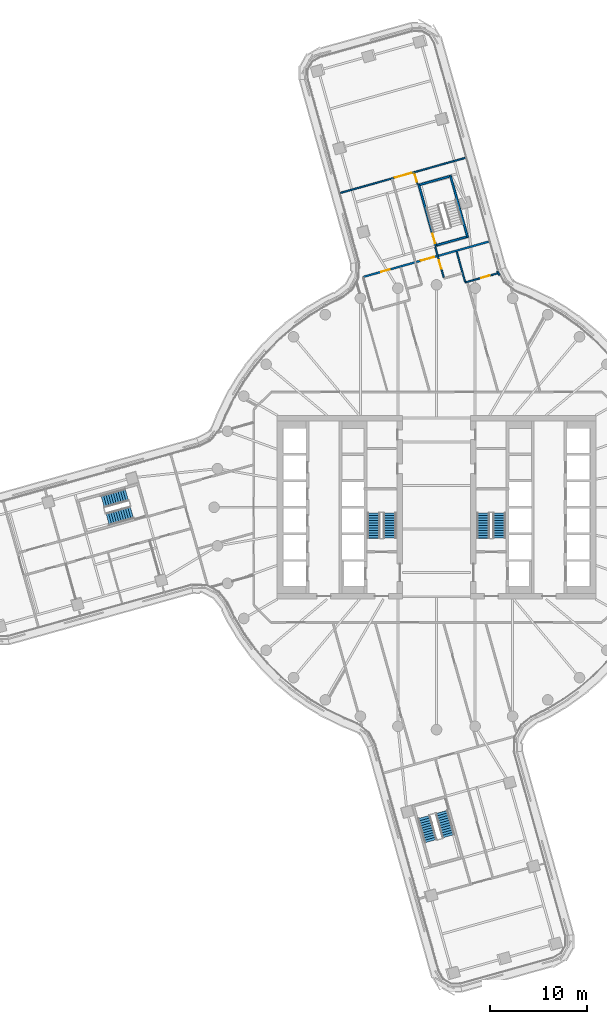
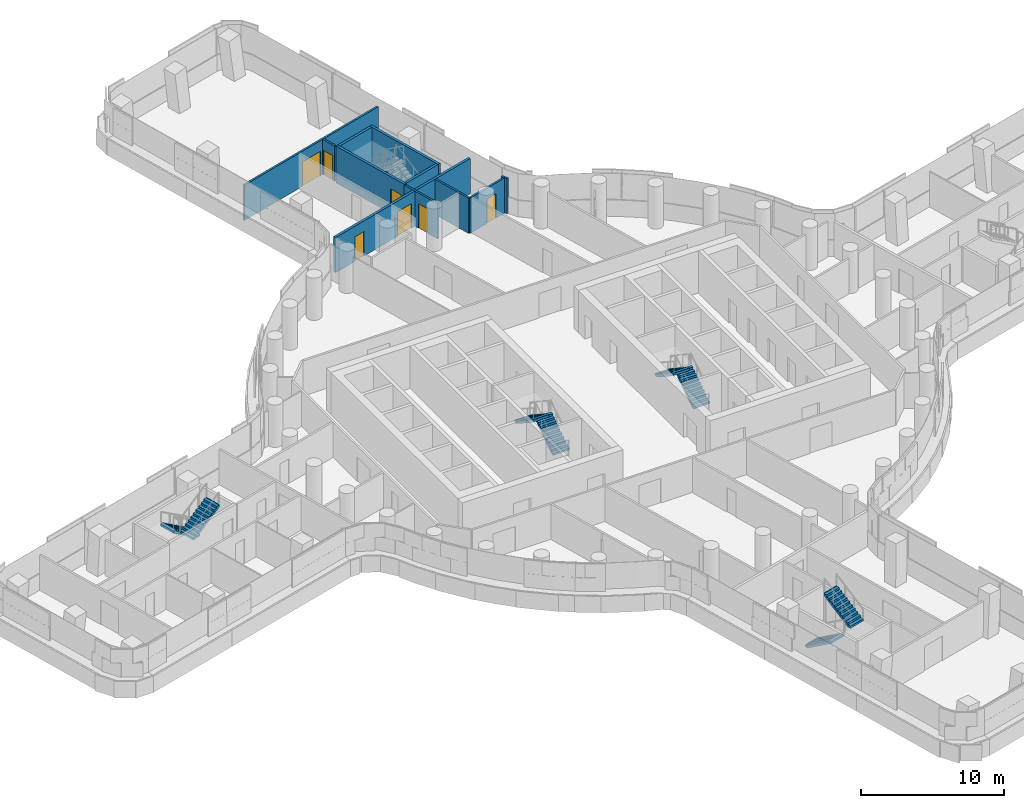
# One storey, part 22 of 30: 11 walls, 8 stair flights, 7 doors, 7 openings, 4 elements without a shape of their own.
"""IFC4 building model written with IfcOpenShell, lengths in metres."""

from ifc_helpers import new_model, si_unit, direction, frame, frame_2d, origin, place, context, subcontext, project, spatial, polyline, rectangle, outline, extrude, material, layer, layer_set, type_object, element, fill, aggregate, save


model = new_model("IFC4")

# Units and contexts
model_context = context("Model", 3, precision=1e-05, world=origin(), true_north=direction((0.0, 1.0)))
body_context = subcontext(model_context, "Body", "Model", "MODEL_VIEW")
ifc_project = project(units=[si_unit("LENGTHUNIT", "METRE"), si_unit("AREAUNIT", "SQUARE_METRE"), si_unit("VOLUMEUNIT", "CUBIC_METRE"), si_unit("PLANEANGLEUNIT", "RADIAN"), si_unit("MASSUNIT", "GRAM", prefix="KILO")], contexts=[model_context])

# Site, building, storey
site_placement = place(None, origin())
site = spatial("IfcSite", under=ifc_project, at=site_placement, CompositionType="ELEMENT")
building_placement = place(site_placement, origin())
building = spatial("IfcBuilding", under=site, at=building_placement, Name="Tamarind Cross Interchange Tower", CompositionType="ELEMENT")
storey_placement = place(building_placement, frame((0.0, 0.0, 91.0)))
storey = spatial("IfcBuildingStorey", under=building, at=storey_placement, Name="L21", CompositionType="ELEMENT", Elevation=91.0)

# Wall, opening, door
ifc_material_1 = material(Name="Gypsum board partition on steel studs", Category="steel")
ifc_layer_1 = layer(ifc_material_1, 0.14990234375)
ifc_layer_set_1 = layer_set([ifc_layer_1], Name="Gypsum board partition on steel studs")
wall_type_1 = type_object("IfcWallType", Name="Partition 150 mm EI 120", PredefinedType="PARTITIONING", material=ifc_layer_set_1)
wall_1_placement = place(storey_placement, frame((-2.28173828125, 34.57568359375, 0.0), z_axis=(0.0, 0.0, 1.0), x_axis=(0.270119007493, -0.962826942805, 0.0)))
wall_1 = element("IfcWall", 1, at=wall_1_placement, inside=storey, type_object=wall_type_1, Name="Partition L21-019", PredefinedType="PARTITIONING", context=body_context, shape_type="SweptSolid", body=[
    extrude(rectangle(XDim=1.184814453125, YDim=0.14990234375, at=frame_2d((0.59228515625, 0.0))), origin(), (0.0, 0.0, 1.0), 3.010009765625),
])
opening_1_placement = place(wall_1_placement, frame((0.074951171875, 0.0, 0.0)))
opening_1 = element("IfcOpeningElement", 2, at=opening_1_placement, cuts=wall_1, Name="Opening D07", PredefinedType="OPENING", context=body_context, shape_type="SweptSolid", body=[
    extrude(rectangle(XDim=0.89990234375, YDim=2.10009765625, at=frame_2d((0.449951171875, 1.050048828125))), frame((0.0, 0.0849609375, 0.0), z_axis=(0.0, -1.0, 0.0), x_axis=(1.0, 0.0, 0.0)), (0.0, 0.0, 1.0), 0.169921875),
])
ifc_material_2 = material(Name="Fire-resisting door set")
door_type_1 = type_object("IfcDoorType", Name="Interior door 900 x 2100 FD60S", OperationType="SINGLE_SWING_LEFT", PredefinedType="DOOR", material=ifc_material_2)
door_1_placement = place(opening_1_placement, origin())
door_1 = element("IfcDoor", 3, at=door_1_placement, inside=storey, type_object=door_type_1, Name="Door D07", OperationType="SINGLE_SWING_RIGHT", OverallHeight=2.10009765625, OverallWidth=0.89990234375, PredefinedType="DOOR", context=body_context, shape_type="SweptSolid", body=[
    extrude(rectangle(XDim=0.89990234375, YDim=2.10009765625, at=frame_2d((0.449951171875, 1.050048828125))), frame((0.0, 0.02490234375, 0.0), z_axis=(0.0, -1.0, 0.0), x_axis=(1.0, 0.0, 0.0)), (0.0, 0.0, 1.0), 0.050048828125),
])
fill(opening_1, door_1)

wall_2_placement = place(storey_placement, frame((-0.130126953125, 26.90673828125, 0.0), z_axis=(0.0, 0.0, 1.0), x_axis=(0.270077213831, -0.962838666948, 0.0)))
wall_2 = element("IfcWall", 4, at=wall_2_placement, inside=storey, type_object=wall_type_1, Name="Partition L21-020", PredefinedType="PARTITIONING", context=body_context, shape_type="SweptSolid", body=[
    extrude(rectangle(XDim=3.279541015625, YDim=0.14990234375, at=frame_2d((1.6396484375, 0.0))), origin(), (0.0, 0.0, 1.0), 3.010009765625),
])
opening_2_placement = place(wall_2_placement, frame((1.409423828125, 0.0, 0.0)))
opening_2 = element("IfcOpeningElement", 5, at=opening_2_placement, cuts=wall_2, Name="Opening D08", PredefinedType="OPENING", context=body_context, shape_type="SweptSolid", body=[
    extrude(rectangle(XDim=0.89990234375, YDim=2.10009765625, at=frame_2d((0.449951171875, 1.050048828125))), frame((0.0, 0.0849609375, 0.0), z_axis=(0.0, -1.0, 0.0), x_axis=(1.0, 0.0, 0.0)), (0.0, 0.0, 1.0), 0.169921875),
])
door_2_placement = place(opening_2_placement, origin())
door_2 = element("IfcDoor", 6, at=door_2_placement, inside=storey, type_object=door_type_1, Name="Door D08", OperationType="SINGLE_SWING_LEFT", OverallHeight=2.10009765625, OverallWidth=0.89990234375, PredefinedType="DOOR", context=body_context, shape_type="SweptSolid", body=[
    extrude(rectangle(XDim=0.89990234375, YDim=2.10009765625, at=frame_2d((0.449951171875, 1.050048828125))), frame((0.0, 0.02490234375, 0.0), z_axis=(0.0, -1.0, 0.0), x_axis=(1.0, 0.0, 0.0)), (0.0, 0.0, 1.0), 0.050048828125),
])
fill(opening_2, door_2)

# Wall
wall_3_placement = place(storey_placement, frame((2.08056640625, 26.431396484375, 0.0), z_axis=(0.0, 0.0, 1.0), x_axis=(0.270004916805, -0.962858943408, 0.0)))
element("IfcWall", 7, at=wall_3_placement, inside=storey, type_object=wall_type_1, Name="Partition L21-025", PredefinedType="PARTITIONING", context=body_context, shape_type="SweptSolid", body=[
    extrude(rectangle(XDim=3.2841796875, YDim=0.14990234375, at=frame_2d((1.64208984375, 0.0))), origin(), (0.0, 0.0, 1.0), 3.010009765625),
])

# Wall, opening, door
wall_4_placement = place(storey_placement, frame((-9.923583984375, 32.510498046875, 0.0), z_axis=(0.0, 0.0, 1.0), x_axis=(0.962841625643, 0.270066665714, 0.0)))
wall_4 = element("IfcWall", 8, at=wall_4_placement, inside=storey, type_object=wall_type_1, Name="Partition L21-053", PredefinedType="PARTITIONING", context=body_context, shape_type="SweptSolid", body=[
    extrude(rectangle(XDim=13.41455078125, YDim=0.14990234375, at=frame_2d((6.707275390625, 0.0))), origin(), (0.0, 0.0, 1.0), 3.010009765625),
])
opening_3_placement = place(wall_4_placement, frame((5.815673828125, 0.0, 0.0)))
opening_3 = element("IfcOpeningElement", 9, at=opening_3_placement, cuts=wall_4, Name="Opening D28", PredefinedType="OPENING", context=body_context, shape_type="SweptSolid", body=[
    extrude(rectangle(XDim=1.800048828125, YDim=2.10009765625, at=frame_2d((0.89990234375, 1.050048828125))), frame((0.0, 0.0849609375, 0.0), z_axis=(0.0, -1.0, 0.0), x_axis=(1.0, 0.0, 0.0)), (0.0, 0.0, 1.0), 0.169921875),
])
door_type_2 = type_object("IfcDoorType", Name="Interior door 1800 x 2100 FD60S", OperationType="DOUBLE_DOOR_SINGLE_SWING", PredefinedType="DOOR", material=ifc_material_2)
door_3_placement = place(opening_3_placement, origin())
door_3 = element("IfcDoor", 10, at=door_3_placement, inside=storey, type_object=door_type_2, Name="Door D28", OperationType="DOUBLE_DOOR_SINGLE_SWING", OverallHeight=2.10009765625, OverallWidth=1.800048828125, PredefinedType="DOOR", context=body_context, shape_type="SweptSolid", body=[
    extrude(rectangle(XDim=1.800048828125, YDim=2.10009765625, at=frame_2d((0.89990234375, 1.050048828125))), frame((0.0, 0.02490234375, 0.0), z_axis=(0.0, -1.0, 0.0), x_axis=(1.0, 0.0, 0.0)), (0.0, 0.0, 1.0), 0.050048828125),
])
fill(opening_3, door_3)

wall_5_placement = place(storey_placement, frame((2.972900390625, 23.25, 0.0), z_axis=(0.0, 0.0, 1.0), x_axis=(0.962654377439, 0.270733355163, 0.0)))
wall_5 = element("IfcWall", 11, at=wall_5_placement, inside=storey, type_object=wall_type_1, Name="Partition L21-062", PredefinedType="PARTITIONING", context=body_context, shape_type="SweptSolid", body=[
    extrude(rectangle(XDim=3.470947265625, YDim=0.14990234375, at=frame_2d((1.7353515625, 0.0))), origin(), (0.0, 0.0, 1.0), 3.010009765625),
])
opening_4_placement = place(wall_5_placement, frame((1.699462890625, 0.0, 0.0)))
opening_4 = element("IfcOpeningElement", 12, at=opening_4_placement, cuts=wall_5, Name="Opening D33", PredefinedType="OPENING", context=body_context, shape_type="SweptSolid", body=[
    extrude(rectangle(XDim=0.89990234375, YDim=2.10009765625, at=frame_2d((0.449951171875, 1.050048828125))), frame((0.0, 0.0849609375, 0.0), z_axis=(0.0, -1.0, 0.0), x_axis=(1.0, 0.0, 0.0)), (0.0, 0.0, 1.0), 0.169921875),
])
door_4_placement = place(opening_4_placement, origin())
door_4 = element("IfcDoor", 13, at=door_4_placement, inside=storey, type_object=door_type_1, Name="Door D33", OperationType="SINGLE_SWING_LEFT", OverallHeight=2.10009765625, OverallWidth=0.89990234375, PredefinedType="DOOR", context=body_context, shape_type="SweptSolid", body=[
    extrude(rectangle(XDim=0.89990234375, YDim=2.10009765625, at=frame_2d((0.449951171875, 1.050048828125))), frame((0.0, 0.02490234375, 0.0), z_axis=(0.0, -1.0, 0.0), x_axis=(1.0, 0.0, 0.0)), (0.0, 0.0, 1.0), 0.050048828125),
])
fill(opening_4, door_4)

# Wall
wall_6_placement = place(storey_placement, frame((6.512451171875, 23.991455078125, 0.0), z_axis=(0.0, 0.0, 1.0), x_axis=(-0.465283556384, 0.885161687014, 0.0)))
element("IfcWall", 14, at=wall_6_placement, inside=storey, type_object=wall_type_1, Name="Partition L21-079", PredefinedType="PARTITIONING", context=body_context, shape_type="SweptSolid", body=[
    extrude(rectangle(XDim=0.5, YDim=0.14990234375, at=frame_2d((0.25, 0.0))), origin(), (0.0, 0.0, 1.0), 3.010009765625),
])

# Wall, openings, doors
ifc_layer_2 = layer(ifc_material_1, 0.199951171875)
ifc_layer_set_2 = layer_set([ifc_layer_2], Name="Gypsum board partition on steel studs")
wall_type_2 = type_object("IfcWallType", Name="Partition 200 mm EI 180", PredefinedType="PARTITIONING", material=ifc_layer_set_2)
wall_7_placement = place(storey_placement, frame((-7.573974609375, 23.822021484375, 0.0), z_axis=(0.0, 0.0, 1.0), x_axis=(0.962672885091, 0.270667538339, 0.0)))
wall_7 = element("IfcWall", 15, at=wall_7_placement, inside=storey, type_object=wall_type_2, Name="Partition L21-054", PredefinedType="PARTITIONING", context=body_context, shape_type="SweptSolid", body=[
    extrude(rectangle(XDim=13.499267578125, YDim=0.199951171875, at=frame_2d((6.74951171875, 0.0))), origin(), (0.0, 0.0, 1.0), 3.010009765625),
])
opening_5_placement = place(wall_7_placement, frame((6.2001953125, 0.0, 0.0)))
opening_5 = element("IfcOpeningElement", 16, at=opening_5_placement, cuts=wall_7, Name="Opening D29", PredefinedType="OPENING", context=body_context, shape_type="SweptSolid", body=[
    extrude(rectangle(XDim=1.39990234375, YDim=2.10009765625, at=frame_2d((0.699951171875, 1.050048828125))), frame((0.0, 0.10986328125, 0.0), z_axis=(0.0, -1.0, 0.0), x_axis=(1.0, 0.0, 0.0)), (0.0, 0.0, 1.0), 0.219970703125),
])
opening_6_placement = place(wall_7_placement, frame((1.949951171875, 0.0, 0.0)))
opening_6 = element("IfcOpeningElement", 17, at=opening_6_placement, cuts=wall_7, Name="Opening D30", PredefinedType="OPENING", context=body_context, shape_type="SweptSolid", body=[
    extrude(rectangle(XDim=0.89990234375, YDim=2.10009765625, at=frame_2d((0.449951171875, 1.050048828125))), frame((0.0, 0.10986328125, 0.0), z_axis=(0.0, -1.0, 0.0), x_axis=(1.0, 0.0, 0.0)), (0.0, 0.0, 1.0), 0.219970703125),
])
door_type_3 = type_object("IfcDoorType", Name="Interior door 1400 x 2100 FD120S", OperationType="DOUBLE_DOOR_SINGLE_SWING", PredefinedType="DOOR", material=ifc_material_2)
door_5_placement = place(opening_5_placement, frame((1.39990234375, 0.0, 0.0), z_axis=(0.0, 0.0, 1.0), x_axis=(-1.0, 0.0, 0.0)))
door_5 = element("IfcDoor", 18, at=door_5_placement, inside=storey, type_object=door_type_3, Name="Door D29", OperationType="DOUBLE_DOOR_SINGLE_SWING", OverallHeight=2.10009765625, OverallWidth=1.39990234375, PredefinedType="DOOR", context=body_context, shape_type="SweptSolid", body=[
    extrude(rectangle(XDim=1.39990234375, YDim=2.10009765625, at=frame_2d((0.699951171875, 1.050048828125))), frame((0.0, 0.02490234375, 0.0), z_axis=(0.0, -1.0, 0.0), x_axis=(1.0, 0.0, 0.0)), (0.0, 0.0, 1.0), 0.050048828125),
])
fill(opening_5, door_5)
door_type_4 = type_object("IfcDoorType", Name="Interior door 900 x 2100 FD120S", OperationType="SINGLE_SWING_LEFT", PredefinedType="DOOR", material=ifc_material_2)
door_6_placement = place(opening_6_placement, frame((0.89990234375, 0.0, 0.0), z_axis=(0.0, 0.0, 1.0), x_axis=(-1.0, 0.0, 0.0)))
door_6 = element("IfcDoor", 19, at=door_6_placement, inside=storey, type_object=door_type_4, Name="Door D30", OperationType="SINGLE_SWING_LEFT", OverallHeight=2.10009765625, OverallWidth=0.89990234375, PredefinedType="DOOR", context=body_context, shape_type="SweptSolid", body=[
    extrude(rectangle(XDim=0.89990234375, YDim=2.10009765625, at=frame_2d((0.449951171875, 1.050048828125))), frame((0.0, 0.02490234375, 0.0), z_axis=(0.0, -1.0, 0.0), x_axis=(1.0, 0.0, 0.0)), (0.0, 0.0, 1.0), 0.050048828125),
])
fill(opening_6, door_6)

# Wall, opening, door
ifc_material_3 = material(Name="Concrete C40", Category="concrete")
ifc_layer_3 = layer(ifc_material_3, 0.199951171875)
ifc_layer_set_3 = layer_set([ifc_layer_3], Name="Concrete C40")
wall_type_3 = type_object("IfcWallType", Name="Stair shaft wall 200 mm Concrete C40", PredefinedType="SHEAR", material=ifc_layer_set_3)
wall_8_placement = place(storey_placement, frame((-0.044921875, 26.97265625, -0.139892578125), z_axis=(0.0, 0.0, 1.0), x_axis=(-0.270121870099, 0.962826139703, 0.0)))
wall_8 = element("IfcWall", 20, at=wall_8_placement, inside=storey, type_object=wall_type_3, Name="Core wall CWL-L21-ST4-H", PredefinedType="SHEAR", context=body_context, shape_type="SweptSolid", body=[
    extrude(rectangle(XDim=6.699951171875, YDim=0.199951171875, at=frame_2d((3.35009765625, 0.0))), origin(), (0.0, 0.0, 1.0), 3.14990234375),
])
opening_7_placement = place(wall_8_placement, frame((0.35009765625, 0.0, 0.0)))
opening_7 = element("IfcOpeningElement", 21, at=opening_7_placement, cuts=wall_8, Name="Opening ST4L21", PredefinedType="OPENING", context=body_context, shape_type="SweptSolid", body=[
    extrude(rectangle(XDim=1.0, YDim=2.10009765625, at=frame_2d((0.5, 1.050048828125))), frame((0.0, 0.10986328125, 0.0), z_axis=(0.0, -1.0, 0.0), x_axis=(1.0, 0.0, 0.0)), (0.0, 0.0, 1.0), 0.219970703125),
])
ifc_material_4 = material(Name="Steel, fire-resisting", Category="steel")
door_type_5 = type_object("IfcDoorType", Name="Core fire door 1000 x 2100 FD90", OperationType="SINGLE_SWING_LEFT", PredefinedType="DOOR", material=ifc_material_4)
door_7_placement = place(opening_7_placement, origin())
door_7 = element("IfcDoor", 22, at=door_7_placement, inside=storey, type_object=door_type_5, Name="L21 stair door ST4", OperationType="SINGLE_SWING_LEFT", OverallHeight=2.10009765625, OverallWidth=1.0, PredefinedType="DOOR", context=body_context, shape_type="SweptSolid", body=[
    extrude(rectangle(XDim=1.0, YDim=2.10009765625, at=frame_2d((0.5, 1.050048828125))), frame((0.0, 0.02490234375, 0.0), z_axis=(0.0, -1.0, 0.0), x_axis=(1.0, 0.0, 0.0)), (0.0, 0.0, 1.0), 0.050048828125),
])
fill(opening_7, door_7)

# Walls
wall_9_placement = place(storey_placement, frame((3.228515625, 27.89111328125, -0.139892578125), z_axis=(0.0, 0.0, 1.0), x_axis=(-0.270121870099, 0.962826139703, 0.0)))
element("IfcWall", 23, at=wall_9_placement, inside=storey, type_object=wall_type_3, Name="Core wall CWL-L21-ST4-C", PredefinedType="SHEAR", context=body_context, shape_type="SweptSolid", body=[
    extrude(rectangle(XDim=6.699951171875, YDim=0.199951171875, at=frame_2d((3.35009765625, 0.0))), origin(), (0.0, 0.0, 1.0), 3.14990234375),
])
wall_10_placement = place(storey_placement, frame((3.10546875, 27.96044921875, -0.139892578125), z_axis=(0.0, 0.0, 1.0), x_axis=(-0.962817290762, -0.270153409397, 0.0)))
element("IfcWall", 24, at=wall_10_placement, inside=storey, type_object=wall_type_3, Name="Core wall CWL-L21-ST4-CE", PredefinedType="SHEAR", context=body_context, shape_type="SweptSolid", body=[
    extrude(rectangle(XDim=3.199951171875, YDim=0.199951171875, at=frame_2d((1.60009765625, 0.0))), origin(), (0.0, 0.0, 1.0), 3.14990234375),
])
wall_11_placement = place(storey_placement, frame((0.0, 0.0, -0.139892578125)))
element("IfcWall", 25, at=wall_11_placement, inside=storey, type_object=wall_type_3, Name="Core wall CWL-L21-ST4-CF", PredefinedType="SHEAR", context=body_context, shape_type="SweptSolid", body=[
    extrude(outline(polyline([(1.37646484375, 34.12255859375), (1.322509765625, 34.315185546875), (-1.758544921875, 33.45068359375), (-1.70458984375, 33.258056640625), (1.37646484375, 34.12255859375)])), origin(), (0.0, 0.0, 1.0), 3.14990234375),
])

# Stair, stair flights
ifc_material_5 = material(Name="Exit stair")
stair_type = type_object("IfcStairType", Name="Exit stair", PredefinedType="HALF_TURN_STAIR", material=ifc_material_5)
stair_1_placement = place(storey_placement, origin())
stair_1 = element("IfcStair", 26, at=stair_1_placement, inside=storey, type_object=stair_type, Name="L21 exit stair ST1", PredefinedType="HALF_TURN_STAIR")
ifc_material_6 = material(Name="Exit stair flight")
stair_flight_type = type_object("IfcStairFlightType", Name="Exit stair flight", PredefinedType="STRAIGHT", material=ifc_material_6)
stair_flight_1_placement = place(storey_placement, frame((-4.85009765625, -3.199951171875, 0.0), z_axis=(0.0, 0.0, 1.0), x_axis=(0.0, 1.0, 0.0)))
stair_flight_1 = element("IfcStairFlight", 27, at=stair_flight_1_placement, type_object=stair_flight_type, Name="ST1 flight 1", NumberOfRisers=11, NumberOfTreads=10, PredefinedType="STRAIGHT", RiserHeight=0.170454545, TreadLength=0.26, context=body_context, shape_type="SweptSolid", body=[
    extrude(outline(polyline([(0.0, 0.0), (0.0, 0.17041015625), (0.260009765625, 0.17041015625), (0.260009765625, 0.3408203125), (0.52001953125, 0.3408203125), (0.52001953125, 0.511474609375), (0.780029296875, 0.511474609375), (0.780029296875, 0.681884765625), (1.0400390625, 0.681884765625), (1.0400390625, 0.852294921875), (1.300048828125, 0.852294921875), (1.300048828125, 1.022705078125), (1.56005859375, 1.022705078125), (1.56005859375, 1.193115234375), (1.820068359375, 1.193115234375), (1.820068359375, 1.363525390625), (2.080078125, 1.363525390625), (2.080078125, 1.5341796875), (2.340087890625, 1.5341796875), (2.340087890625, 1.70458984375), (2.60009765625, 1.70458984375), (2.60009765625, 1.875), (2.60009765625, 1.525390625), (0.2734375, 0.0), (0.0, 0.0)])), frame((0.0, 0.64990234375, 0.0), z_axis=(0.0, -1.0, 0.0), x_axis=(1.0, 0.0, 0.0)), (0.0, 0.0, 1.0), 1.300048828125),
])
stair_flight_2_placement = place(storey_placement, frame((-6.5, -0.60009765625, 1.875), z_axis=(0.0, 0.0, 1.0), x_axis=(0.0, -1.0, 0.0)))
stair_flight_2 = element("IfcStairFlight", 28, at=stair_flight_2_placement, type_object=stair_flight_type, Name="ST1 flight 2", NumberOfRisers=11, NumberOfTreads=10, PredefinedType="STRAIGHT", RiserHeight=0.170454545, TreadLength=0.26, context=body_context, shape_type="SweptSolid", body=[
    extrude(outline(polyline([(0.0, 0.0), (0.0, 0.17041015625), (0.260009765625, 0.17041015625), (0.260009765625, 0.3408203125), (0.52001953125, 0.3408203125), (0.52001953125, 0.511474609375), (0.780029296875, 0.511474609375), (0.780029296875, 0.681884765625), (1.0400390625, 0.681884765625), (1.0400390625, 0.852294921875), (1.300048828125, 0.852294921875), (1.300048828125, 1.022705078125), (1.56005859375, 1.022705078125), (1.56005859375, 1.193115234375), (1.820068359375, 1.193115234375), (1.820068359375, 1.363525390625), (2.080078125, 1.363525390625), (2.080078125, 1.5341796875), (2.340087890625, 1.5341796875), (2.340087890625, 1.70458984375), (2.60009765625, 1.70458984375), (2.60009765625, 1.7548828125), (2.612060546875, 1.7548828125), (2.612060546875, 1.533203125), (0.2734375, 0.0), (0.0, 0.0)])), frame((0.0, 0.64990234375, 0.0), z_axis=(0.0, -1.0, 0.0), x_axis=(1.0, 0.0, 0.0)), (0.0, 0.0, 1.0), 1.300048828125),
])
aggregate(stair_1, [stair_flight_1, stair_flight_2])

stair_2_placement = place(storey_placement, origin())
stair_2 = element("IfcStair", 29, at=stair_2_placement, inside=storey, type_object=stair_type, Name="L21 exit stair ST2", PredefinedType="HALF_TURN_STAIR")
stair_flight_3_placement = place(storey_placement, frame((6.5, -3.199951171875, 0.0), z_axis=(0.0, 0.0, 1.0), x_axis=(0.0, 1.0, 0.0)))
stair_flight_3 = element("IfcStairFlight", 30, at=stair_flight_3_placement, type_object=stair_flight_type, Name="ST2 flight 1", NumberOfRisers=11, NumberOfTreads=10, PredefinedType="STRAIGHT", RiserHeight=0.170454545, TreadLength=0.26, context=body_context, shape_type="SweptSolid", body=[
    extrude(outline(polyline([(0.0, 0.0), (0.0, 0.17041015625), (0.260009765625, 0.17041015625), (0.260009765625, 0.3408203125), (0.52001953125, 0.3408203125), (0.52001953125, 0.511474609375), (0.780029296875, 0.511474609375), (0.780029296875, 0.681884765625), (1.0400390625, 0.681884765625), (1.0400390625, 0.852294921875), (1.300048828125, 0.852294921875), (1.300048828125, 1.022705078125), (1.56005859375, 1.022705078125), (1.56005859375, 1.193115234375), (1.820068359375, 1.193115234375), (1.820068359375, 1.363525390625), (2.080078125, 1.363525390625), (2.080078125, 1.5341796875), (2.340087890625, 1.5341796875), (2.340087890625, 1.70458984375), (2.60009765625, 1.70458984375), (2.60009765625, 1.875), (2.60009765625, 1.525390625), (0.2734375, 0.0), (0.0, 0.0)])), frame((0.0, 0.64990234375, 0.0), z_axis=(0.0, -1.0, 0.0), x_axis=(1.0, 0.0, 0.0)), (0.0, 0.0, 1.0), 1.300048828125),
])
stair_flight_4_placement = place(storey_placement, frame((4.85009765625, -0.60009765625, 1.875), z_axis=(0.0, 0.0, 1.0), x_axis=(0.0, -1.0, 0.0)))
stair_flight_4 = element("IfcStairFlight", 31, at=stair_flight_4_placement, type_object=stair_flight_type, Name="ST2 flight 2", NumberOfRisers=11, NumberOfTreads=10, PredefinedType="STRAIGHT", RiserHeight=0.170454545, TreadLength=0.26, context=body_context, shape_type="SweptSolid", body=[
    extrude(outline(polyline([(0.0, 0.0), (0.0, 0.17041015625), (0.260009765625, 0.17041015625), (0.260009765625, 0.3408203125), (0.52001953125, 0.3408203125), (0.52001953125, 0.511474609375), (0.780029296875, 0.511474609375), (0.780029296875, 0.681884765625), (1.0400390625, 0.681884765625), (1.0400390625, 0.852294921875), (1.300048828125, 0.852294921875), (1.300048828125, 1.022705078125), (1.56005859375, 1.022705078125), (1.56005859375, 1.193115234375), (1.820068359375, 1.193115234375), (1.820068359375, 1.363525390625), (2.080078125, 1.363525390625), (2.080078125, 1.5341796875), (2.340087890625, 1.5341796875), (2.340087890625, 1.70458984375), (2.60009765625, 1.70458984375), (2.60009765625, 1.7548828125), (2.612060546875, 1.7548828125), (2.612060546875, 1.533203125), (0.2734375, 0.0), (0.0, 0.0)])), frame((0.0, 0.64990234375, 0.0), z_axis=(0.0, -1.0, 0.0), x_axis=(1.0, 0.0, 0.0)), (0.0, 0.0, 1.0), 1.300048828125),
])
aggregate(stair_2, [stair_flight_3, stair_flight_4])

stair_3_placement = place(storey_placement, origin())
stair_3 = element("IfcStair", 32, at=stair_3_placement, inside=storey, type_object=stair_type, Name="L21 exit stair ST5", PredefinedType="HALF_TURN_STAIR")
stair_flight_5_placement = place(storey_placement, frame((-32.021240234375, 1.291015625, 0.0), z_axis=(0.0, 0.0, 1.0), x_axis=(-0.962823871791, -0.270129953744, 0.0)))
stair_flight_5 = element("IfcStairFlight", 33, at=stair_flight_5_placement, type_object=stair_flight_type, Name="ST5 flight 1", NumberOfRisers=11, NumberOfTreads=10, PredefinedType="STRAIGHT", RiserHeight=0.170454545, TreadLength=0.26, context=body_context, shape_type="SweptSolid", body=[
    extrude(outline(polyline([(0.0, 0.0), (0.0, 0.17041015625), (0.260009765625, 0.17041015625), (0.260009765625, 0.3408203125), (0.52001953125, 0.3408203125), (0.52001953125, 0.511474609375), (0.780029296875, 0.511474609375), (0.780029296875, 0.681884765625), (1.0400390625, 0.681884765625), (1.0400390625, 0.852294921875), (1.300048828125, 0.852294921875), (1.300048828125, 1.022705078125), (1.56005859375, 1.022705078125), (1.56005859375, 1.193115234375), (1.820068359375, 1.193115234375), (1.820068359375, 1.363525390625), (2.080078125, 1.363525390625), (2.080078125, 1.5341796875), (2.340087890625, 1.5341796875), (2.340087890625, 1.70458984375), (2.60009765625, 1.70458984375), (2.60009765625, 1.875), (2.60009765625, 1.525390625), (0.2734375, 0.0), (0.0, 0.0)])), frame((0.0, 0.64990234375, 0.0), z_axis=(0.0, -1.0, 0.0), x_axis=(1.0, 0.0, 0.0)), (0.0, 0.0, 1.0), 1.300048828125),
])
stair_flight_6_placement = place(storey_placement, frame((-34.011474609375, -1.24072265625, 1.875), z_axis=(0.0, 0.0, 1.0), x_axis=(0.962823871791, 0.270129953744, 0.0)))
stair_flight_6 = element("IfcStairFlight", 34, at=stair_flight_6_placement, type_object=stair_flight_type, Name="ST5 flight 2", NumberOfRisers=11, NumberOfTreads=10, PredefinedType="STRAIGHT", RiserHeight=0.170454545, TreadLength=0.26, context=body_context, shape_type="SweptSolid", body=[
    extrude(outline(polyline([(0.0, 0.0), (0.0, 0.17041015625), (0.260009765625, 0.17041015625), (0.260009765625, 0.3408203125), (0.52001953125, 0.3408203125), (0.52001953125, 0.511474609375), (0.780029296875, 0.511474609375), (0.780029296875, 0.681884765625), (1.0400390625, 0.681884765625), (1.0400390625, 0.852294921875), (1.300048828125, 0.852294921875), (1.300048828125, 1.022705078125), (1.56005859375, 1.022705078125), (1.56005859375, 1.193115234375), (1.820068359375, 1.193115234375), (1.820068359375, 1.363525390625), (2.080078125, 1.363525390625), (2.080078125, 1.5341796875), (2.340087890625, 1.5341796875), (2.340087890625, 1.70458984375), (2.60009765625, 1.70458984375), (2.60009765625, 1.7548828125), (2.612060546875, 1.7548828125), (2.612060546875, 1.533203125), (0.2734375, 0.0), (0.0, 0.0)])), frame((0.0, 0.64990234375, 0.0), z_axis=(0.0, -1.0, 0.0), x_axis=(1.0, 0.0, 0.0)), (0.0, 0.0, 1.0), 1.300048828125),
])
aggregate(stair_3, [stair_flight_5, stair_flight_6])

stair_4_placement = place(storey_placement, origin())
stair_4 = element("IfcStair", 35, at=stair_4_placement, inside=storey, type_object=stair_type, Name="L21 exit stair ST6", PredefinedType="HALF_TURN_STAIR")
stair_flight_7_placement = place(storey_placement, frame((-1.291015625, -32.021240234375, 0.0), z_axis=(0.0, 0.0, 1.0), x_axis=(0.270129953744, -0.962823871791, 0.0)))
stair_flight_7 = element("IfcStairFlight", 36, at=stair_flight_7_placement, type_object=stair_flight_type, Name="ST6 flight 1", NumberOfRisers=11, NumberOfTreads=10, PredefinedType="STRAIGHT", RiserHeight=0.170454545, TreadLength=0.26, context=body_context, shape_type="SweptSolid", body=[
    extrude(outline(polyline([(0.0, 0.0), (0.0, 0.17041015625), (0.260009765625, 0.17041015625), (0.260009765625, 0.3408203125), (0.52001953125, 0.3408203125), (0.52001953125, 0.511474609375), (0.780029296875, 0.511474609375), (0.780029296875, 0.681884765625), (1.0400390625, 0.681884765625), (1.0400390625, 0.852294921875), (1.300048828125, 0.852294921875), (1.300048828125, 1.022705078125), (1.56005859375, 1.022705078125), (1.56005859375, 1.193115234375), (1.820068359375, 1.193115234375), (1.820068359375, 1.363525390625), (2.080078125, 1.363525390625), (2.080078125, 1.5341796875), (2.340087890625, 1.5341796875), (2.340087890625, 1.70458984375), (2.60009765625, 1.70458984375), (2.60009765625, 1.875), (2.60009765625, 1.525390625), (0.2734375, 0.0), (0.0, 0.0)])), frame((0.0, 0.64990234375, 0.0), z_axis=(0.0, -1.0, 0.0), x_axis=(1.0, 0.0, 0.0)), (0.0, 0.0, 1.0), 1.300048828125),
])
stair_flight_8_placement = place(storey_placement, frame((1.24072265625, -34.011474609375, 1.875), z_axis=(0.0, 0.0, 1.0), x_axis=(-0.270129953744, 0.962823871791, 0.0)))
stair_flight_8 = element("IfcStairFlight", 37, at=stair_flight_8_placement, type_object=stair_flight_type, Name="ST6 flight 2", NumberOfRisers=11, NumberOfTreads=10, PredefinedType="STRAIGHT", RiserHeight=0.170454545, TreadLength=0.26, context=body_context, shape_type="SweptSolid", body=[
    extrude(outline(polyline([(0.0, 0.0), (0.0, 0.17041015625), (0.260009765625, 0.17041015625), (0.260009765625, 0.3408203125), (0.52001953125, 0.3408203125), (0.52001953125, 0.511474609375), (0.780029296875, 0.511474609375), (0.780029296875, 0.681884765625), (1.0400390625, 0.681884765625), (1.0400390625, 0.852294921875), (1.300048828125, 0.852294921875), (1.300048828125, 1.022705078125), (1.56005859375, 1.022705078125), (1.56005859375, 1.193115234375), (1.820068359375, 1.193115234375), (1.820068359375, 1.363525390625), (2.080078125, 1.363525390625), (2.080078125, 1.5341796875), (2.340087890625, 1.5341796875), (2.340087890625, 1.70458984375), (2.60009765625, 1.70458984375), (2.60009765625, 1.7548828125), (2.612060546875, 1.7548828125), (2.612060546875, 1.533203125), (0.2734375, 0.0), (0.0, 0.0)])), frame((0.0, 0.64990234375, 0.0), z_axis=(0.0, -1.0, 0.0), x_axis=(1.0, 0.0, 0.0)), (0.0, 0.0, 1.0), 1.300048828125),
])
aggregate(stair_4, [stair_flight_7, stair_flight_8])

save(model, "model.ifc")
